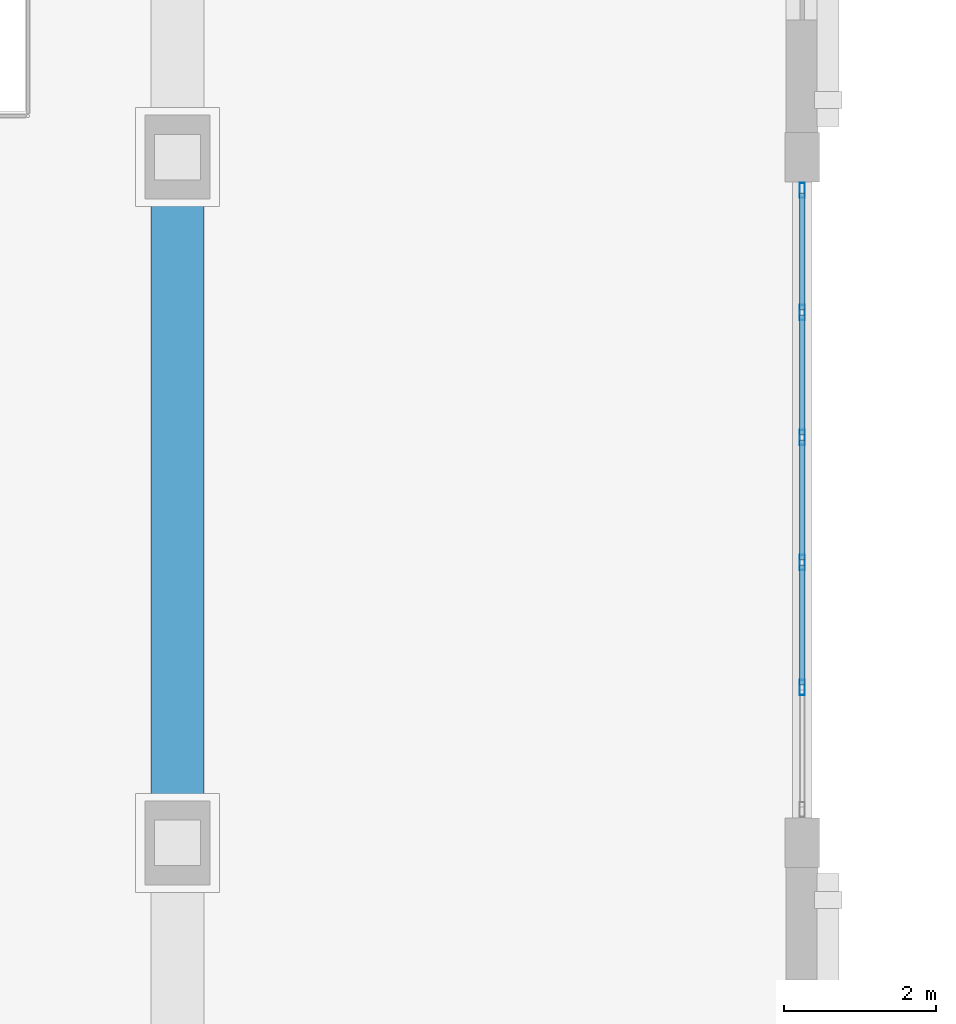
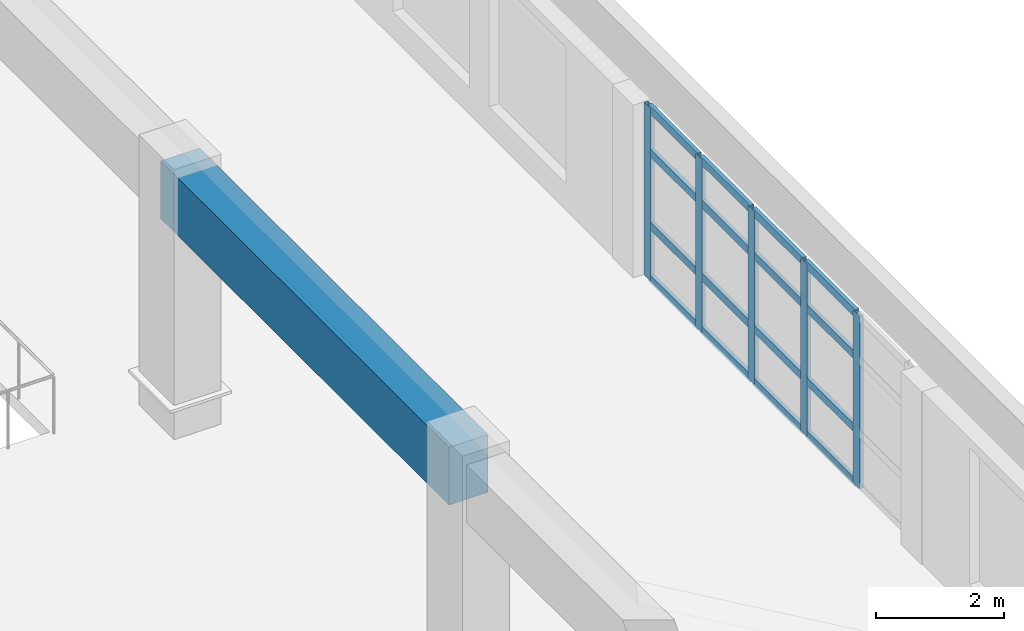
# One storey, part 23 of 80: 21 members, 1 beam, 1 element without a shape of its own.
"""IFC4 building model written with IfcOpenShell, lengths in metres."""

from ifc_helpers import new_model, si_unit, direction, frame, origin, origin_2d, place, context, subcontext, project, spatial, rectangle, hollow_rectangle, extrude, material, layer, layer_set, material_profile, profile_set, type_object, element, aggregate, save


model = new_model("IFC4")

# Units and contexts
model_context = context("Model", 3, precision=1e-05, world=origin(), true_north=direction((0.0, 1.0)))
body_context = subcontext(model_context, "Body", "Model", "MODEL_VIEW")
ifc_project = project(units=[si_unit("LENGTHUNIT", "METRE"), si_unit("AREAUNIT", "SQUARE_METRE"), si_unit("VOLUMEUNIT", "CUBIC_METRE"), si_unit("PLANEANGLEUNIT", "RADIAN"), si_unit("MASSUNIT", "GRAM", prefix="KILO")], contexts=[model_context])

# Site, building, storey
site_placement = place(None, origin())
site = spatial("IfcSite", under=ifc_project, at=site_placement, CompositionType="ELEMENT")
building_placement = place(site_placement, origin())
building = spatial("IfcBuilding", under=site, at=building_placement, Name="Ornek Quay Market", CompositionType="ELEMENT")
storey_placement = place(building_placement, frame((0.0, 0.0, 8.39990234375)))
storey = spatial("IfcBuildingStorey", under=building, at=storey_placement, Name="L02", CompositionType="ELEMENT", Elevation=8.39990234375)

# Beam
ifc_material_1 = material(Name="Concrete C45/55", Category="concrete")
ifc_material_profile_1 = material_profile(ifc_material_1, rectangle(XDim=0.699951171875, YDim=1.10009765625, at=origin_2d()), Name="RC 700x1100", Category="concrete")
ifc_profile_set_1 = profile_set([ifc_material_profile_1], Name="Concrete C45/55")
beam_type = type_object("IfcBeamType", Name="BM-ARCH-TIE-700x1100", PredefinedType="BEAM", material=ifc_profile_set_1)
beam_placement = place(storey_placement, frame((117.0, 56.0, 4.400146484375), z_axis=(0.0, 1.0, 0.0), x_axis=(-1.0, 0.0, 0.0)))
element("IfcBeam", 1, at=beam_placement, inside=storey, type_object=beam_type, Name="Arch springing edge tie beam G-E", PredefinedType="BEAM", context=body_context, shape_type="SweptSolid", body=[
    extrude(rectangle(XDim=0.699951171875, YDim=1.10009765625, at=origin_2d()), origin(), (0.0, 0.0, 1.0), 9.0),
])

# Curtain wall, members
ifc_material_2 = material(Name="Anodised bronze aluminium and triple low-e glass", Category="aluminium")
ifc_layer = layer(ifc_material_2, 0.239990234375, Name="Anodised bronze aluminium and triple low-e glass", Category="aluminium")
ifc_layer_set = layer_set([ifc_layer], Name="Anodised bronze aluminium and triple low-e glass")
curtain_wall_type = type_object("IfcCurtainWallType", Name="CW-GAB-MOD1800", PredefinedType="USERDEFINED", material=ifc_layer_set)
curtain_wall_placement = place(storey_placement, origin())
curtain_wall = element("IfcCurtainWall", 2, at=curtain_wall_placement, inside=storey, type_object=curtain_wall_type, Name="Curtain wall CW-061", ObjectType="CURTAIN WALL", PredefinedType="USERDEFINED")
ifc_material_3 = material(Name="Anodised aluminium 6063-T6", Category="aluminium")
ifc_material_profile_2 = material_profile(ifc_material_3, hollow_rectangle(XDim=0.070068359375, YDim=0.199951171875, WallThickness=0.0048828125, at=origin_2d()), Name="CW-MUL-70x200", Category="aluminium")
ifc_profile_set_2 = profile_set([ifc_material_profile_2], Name="Anodised aluminium 6063-T6")
member_type_1 = type_object("IfcMemberType", Name="CW-MUL-70x200", PredefinedType="MULLION", material=ifc_profile_set_2)
member_1_placement = place(storey_placement, frame((125.199951171875, 58.0400390625, 0.0), z_axis=(0.0, 0.0, 1.0), x_axis=(-1.0, 0.0, 0.0)))
member_1 = element("IfcMember", 3, at=member_1_placement, type_object=member_type_1, Name="CW-061 mullion 2", PredefinedType="MULLION", context=body_context, shape_type="SweptSolid", body=[
    extrude(hollow_rectangle(XDim=0.070068359375, YDim=0.199951171875, WallThickness=0.0048828125, at=origin_2d()), origin(), (0.0, 0.0, 1.0), 3.2900390625),
])
member_2_placement = place(storey_placement, frame((125.199951171875, 59.679931640625, 0.0), z_axis=(0.0, 0.0, 1.0), x_axis=(-1.0, 0.0, 0.0)))
member_2 = element("IfcMember", 4, at=member_2_placement, type_object=member_type_1, Name="CW-061 mullion 3", PredefinedType="MULLION", context=body_context, shape_type="SweptSolid", body=[
    extrude(hollow_rectangle(XDim=0.070068359375, YDim=0.199951171875, WallThickness=0.0048828125, at=origin_2d()), origin(), (0.0, 0.0, 1.0), 3.2900390625),
])
member_3_placement = place(storey_placement, frame((125.199951171875, 61.320068359375, 0.0), z_axis=(0.0, 0.0, 1.0), x_axis=(-1.0, 0.0, 0.0)))
member_3 = element("IfcMember", 5, at=member_3_placement, type_object=member_type_1, Name="CW-061 mullion 4", PredefinedType="MULLION", context=body_context, shape_type="SweptSolid", body=[
    extrude(hollow_rectangle(XDim=0.070068359375, YDim=0.199951171875, WallThickness=0.0048828125, at=origin_2d()), origin(), (0.0, 0.0, 1.0), 3.2900390625),
])
member_4_placement = place(storey_placement, frame((125.199951171875, 62.9599609375, 0.0), z_axis=(0.0, 0.0, 1.0), x_axis=(-1.0, 0.0, 0.0)))
member_4 = element("IfcMember", 6, at=member_4_placement, type_object=member_type_1, Name="CW-061 mullion 5", PredefinedType="MULLION", context=body_context, shape_type="SweptSolid", body=[
    extrude(hollow_rectangle(XDim=0.070068359375, YDim=0.199951171875, WallThickness=0.0048828125, at=origin_2d()), origin(), (0.0, 0.0, 1.0), 3.2900390625),
])
member_5_placement = place(storey_placement, frame((125.199951171875, 64.56494140625, 0.0), z_axis=(0.0, 0.0, 1.0), x_axis=(-1.0, 0.0, 0.0)))
member_5 = element("IfcMember", 7, at=member_5_placement, type_object=member_type_1, Name="CW-061 mullion 6", PredefinedType="MULLION", context=body_context, shape_type="SweptSolid", body=[
    extrude(hollow_rectangle(XDim=0.070068359375, YDim=0.199951171875, WallThickness=0.0048828125, at=origin_2d()), origin(), (0.0, 0.0, 1.0), 3.2900390625),
])
ifc_material_profile_3 = material_profile(ifc_material_3, hollow_rectangle(XDim=0.070068359375, YDim=0.14990234375, WallThickness=0.0048828125, at=origin_2d()), Name="CW-TRN-70x150", Category="aluminium")
ifc_profile_set_3 = profile_set([ifc_material_profile_3], Name="Anodised aluminium 6063-T6")
member_type_2 = type_object("IfcMemberType", Name="CW-TRN-70x150", PredefinedType="USERDEFINED", material=ifc_profile_set_3)
member_6_placement = place(storey_placement, frame((125.199951171875, 58.074951171875, 0.03515625), z_axis=(0.0, 1.0, 0.0), x_axis=(-1.0, 0.0, 0.0)))
member_6 = element("IfcMember", 8, at=member_6_placement, type_object=member_type_2, Name="CW-061 transom 2.1", ObjectType="TRANSOM", PredefinedType="USERDEFINED", context=body_context, shape_type="SweptSolid", body=[
    extrude(hollow_rectangle(XDim=0.070068359375, YDim=0.14990234375, WallThickness=0.0048828125, at=origin_2d()), origin(), (0.0, 0.0, 1.0), 1.570068359375),
])
member_7_placement = place(storey_placement, frame((125.199951171875, 58.074951171875, 1.050048828125), z_axis=(0.0, 1.0, 0.0), x_axis=(-1.0, 0.0, 0.0)))
member_7 = element("IfcMember", 9, at=member_7_placement, type_object=member_type_2, Name="CW-061 transom 2.2", ObjectType="TRANSOM", PredefinedType="USERDEFINED", context=body_context, shape_type="SweptSolid", body=[
    extrude(hollow_rectangle(XDim=0.070068359375, YDim=0.14990234375, WallThickness=0.0048828125, at=origin_2d()), origin(), (0.0, 0.0, 1.0), 1.570068359375),
])
member_8_placement = place(storey_placement, frame((125.199951171875, 58.074951171875, 2.440185546875), z_axis=(0.0, 1.0, 0.0), x_axis=(-1.0, 0.0, 0.0)))
member_8 = element("IfcMember", 10, at=member_8_placement, type_object=member_type_2, Name="CW-061 transom 2.3", ObjectType="TRANSOM", PredefinedType="USERDEFINED", context=body_context, shape_type="SweptSolid", body=[
    extrude(hollow_rectangle(XDim=0.070068359375, YDim=0.14990234375, WallThickness=0.0048828125, at=origin_2d()), origin(), (0.0, 0.0, 1.0), 1.570068359375),
])
member_9_placement = place(storey_placement, frame((125.199951171875, 58.074951171875, 3.255126953125), z_axis=(0.0, 1.0, 0.0), x_axis=(-1.0, 0.0, 0.0)))
member_9 = element("IfcMember", 11, at=member_9_placement, type_object=member_type_2, Name="CW-061 transom 2.4", ObjectType="TRANSOM", PredefinedType="USERDEFINED", context=body_context, shape_type="SweptSolid", body=[
    extrude(hollow_rectangle(XDim=0.070068359375, YDim=0.14990234375, WallThickness=0.0048828125, at=origin_2d()), origin(), (0.0, 0.0, 1.0), 1.570068359375),
])
member_10_placement = place(storey_placement, frame((125.199951171875, 59.715087890625, 0.03515625), z_axis=(0.0, 1.0, 0.0), x_axis=(-1.0, 0.0, 0.0)))
member_10 = element("IfcMember", 12, at=member_10_placement, type_object=member_type_2, Name="CW-061 transom 3.1", ObjectType="TRANSOM", PredefinedType="USERDEFINED", context=body_context, shape_type="SweptSolid", body=[
    extrude(hollow_rectangle(XDim=0.070068359375, YDim=0.14990234375, WallThickness=0.0048828125, at=origin_2d()), origin(), (0.0, 0.0, 1.0), 1.56982421875),
])
member_11_placement = place(storey_placement, frame((125.199951171875, 59.715087890625, 1.050048828125), z_axis=(0.0, 1.0, 0.0), x_axis=(-1.0, 0.0, 0.0)))
member_11 = element("IfcMember", 13, at=member_11_placement, type_object=member_type_2, Name="CW-061 transom 3.2", ObjectType="TRANSOM", PredefinedType="USERDEFINED", context=body_context, shape_type="SweptSolid", body=[
    extrude(hollow_rectangle(XDim=0.070068359375, YDim=0.14990234375, WallThickness=0.0048828125, at=origin_2d()), origin(), (0.0, 0.0, 1.0), 1.56982421875),
])
member_12_placement = place(storey_placement, frame((125.199951171875, 59.715087890625, 2.440185546875), z_axis=(0.0, 1.0, 0.0), x_axis=(-1.0, 0.0, 0.0)))
member_12 = element("IfcMember", 14, at=member_12_placement, type_object=member_type_2, Name="CW-061 transom 3.3", ObjectType="TRANSOM", PredefinedType="USERDEFINED", context=body_context, shape_type="SweptSolid", body=[
    extrude(hollow_rectangle(XDim=0.070068359375, YDim=0.14990234375, WallThickness=0.0048828125, at=origin_2d()), origin(), (0.0, 0.0, 1.0), 1.56982421875),
])
member_13_placement = place(storey_placement, frame((125.199951171875, 59.715087890625, 3.255126953125), z_axis=(0.0, 1.0, 0.0), x_axis=(-1.0, 0.0, 0.0)))
member_13 = element("IfcMember", 15, at=member_13_placement, type_object=member_type_2, Name="CW-061 transom 3.4", ObjectType="TRANSOM", PredefinedType="USERDEFINED", context=body_context, shape_type="SweptSolid", body=[
    extrude(hollow_rectangle(XDim=0.070068359375, YDim=0.14990234375, WallThickness=0.0048828125, at=origin_2d()), origin(), (0.0, 0.0, 1.0), 1.56982421875),
])
member_14_placement = place(storey_placement, frame((125.199951171875, 61.35498046875, 0.03515625), z_axis=(0.0, 1.0, 0.0), x_axis=(-1.0, 0.0, 0.0)))
member_14 = element("IfcMember", 16, at=member_14_placement, type_object=member_type_2, Name="CW-061 transom 4.1", ObjectType="TRANSOM", PredefinedType="USERDEFINED", context=body_context, shape_type="SweptSolid", body=[
    extrude(hollow_rectangle(XDim=0.070068359375, YDim=0.14990234375, WallThickness=0.0048828125, at=origin_2d()), origin(), (0.0, 0.0, 1.0), 1.570068359375),
])
member_15_placement = place(storey_placement, frame((125.199951171875, 61.35498046875, 1.050048828125), z_axis=(0.0, 1.0, 0.0), x_axis=(-1.0, 0.0, 0.0)))
member_15 = element("IfcMember", 17, at=member_15_placement, type_object=member_type_2, Name="CW-061 transom 4.2", ObjectType="TRANSOM", PredefinedType="USERDEFINED", context=body_context, shape_type="SweptSolid", body=[
    extrude(hollow_rectangle(XDim=0.070068359375, YDim=0.14990234375, WallThickness=0.0048828125, at=origin_2d()), origin(), (0.0, 0.0, 1.0), 1.570068359375),
])
member_16_placement = place(storey_placement, frame((125.199951171875, 61.35498046875, 2.440185546875), z_axis=(0.0, 1.0, 0.0), x_axis=(-1.0, 0.0, 0.0)))
member_16 = element("IfcMember", 18, at=member_16_placement, type_object=member_type_2, Name="CW-061 transom 4.3", ObjectType="TRANSOM", PredefinedType="USERDEFINED", context=body_context, shape_type="SweptSolid", body=[
    extrude(hollow_rectangle(XDim=0.070068359375, YDim=0.14990234375, WallThickness=0.0048828125, at=origin_2d()), origin(), (0.0, 0.0, 1.0), 1.570068359375),
])
member_17_placement = place(storey_placement, frame((125.199951171875, 61.35498046875, 3.255126953125), z_axis=(0.0, 1.0, 0.0), x_axis=(-1.0, 0.0, 0.0)))
member_17 = element("IfcMember", 19, at=member_17_placement, type_object=member_type_2, Name="CW-061 transom 4.4", ObjectType="TRANSOM", PredefinedType="USERDEFINED", context=body_context, shape_type="SweptSolid", body=[
    extrude(hollow_rectangle(XDim=0.070068359375, YDim=0.14990234375, WallThickness=0.0048828125, at=origin_2d()), origin(), (0.0, 0.0, 1.0), 1.570068359375),
])
member_18_placement = place(storey_placement, frame((125.199951171875, 62.9951171875, 0.03515625), z_axis=(0.0, 1.0, 0.0), x_axis=(-1.0, 0.0, 0.0)))
member_18 = element("IfcMember", 20, at=member_18_placement, type_object=member_type_2, Name="CW-061 transom 5.1", ObjectType="TRANSOM", PredefinedType="USERDEFINED", context=body_context, shape_type="SweptSolid", body=[
    extrude(hollow_rectangle(XDim=0.070068359375, YDim=0.14990234375, WallThickness=0.0048828125, at=origin_2d()), origin(), (0.0, 0.0, 1.0), 1.534912109375),
])
member_19_placement = place(storey_placement, frame((125.199951171875, 62.9951171875, 1.050048828125), z_axis=(0.0, 1.0, 0.0), x_axis=(-1.0, 0.0, 0.0)))
member_19 = element("IfcMember", 21, at=member_19_placement, type_object=member_type_2, Name="CW-061 transom 5.2", ObjectType="TRANSOM", PredefinedType="USERDEFINED", context=body_context, shape_type="SweptSolid", body=[
    extrude(hollow_rectangle(XDim=0.070068359375, YDim=0.14990234375, WallThickness=0.0048828125, at=origin_2d()), origin(), (0.0, 0.0, 1.0), 1.534912109375),
])
member_20_placement = place(storey_placement, frame((125.199951171875, 62.9951171875, 2.440185546875), z_axis=(0.0, 1.0, 0.0), x_axis=(-1.0, 0.0, 0.0)))
member_20 = element("IfcMember", 22, at=member_20_placement, type_object=member_type_2, Name="CW-061 transom 5.3", ObjectType="TRANSOM", PredefinedType="USERDEFINED", context=body_context, shape_type="SweptSolid", body=[
    extrude(hollow_rectangle(XDim=0.070068359375, YDim=0.14990234375, WallThickness=0.0048828125, at=origin_2d()), origin(), (0.0, 0.0, 1.0), 1.534912109375),
])
member_21_placement = place(storey_placement, frame((125.199951171875, 62.9951171875, 3.255126953125), z_axis=(0.0, 1.0, 0.0), x_axis=(-1.0, 0.0, 0.0)))
member_21 = element("IfcMember", 23, at=member_21_placement, type_object=member_type_2, Name="CW-061 transom 5.4", ObjectType="TRANSOM", PredefinedType="USERDEFINED", context=body_context, shape_type="SweptSolid", body=[
    extrude(hollow_rectangle(XDim=0.070068359375, YDim=0.14990234375, WallThickness=0.0048828125, at=origin_2d()), origin(), (0.0, 0.0, 1.0), 1.534912109375),
])
aggregate(curtain_wall, [member_1, member_2, member_3, member_4, member_5, member_6, member_7, member_8, member_9, member_10, member_11, member_12, member_13, member_14, member_15, member_16, member_17, member_18, member_19, member_20, member_21])

save(model, "model.ifc")
